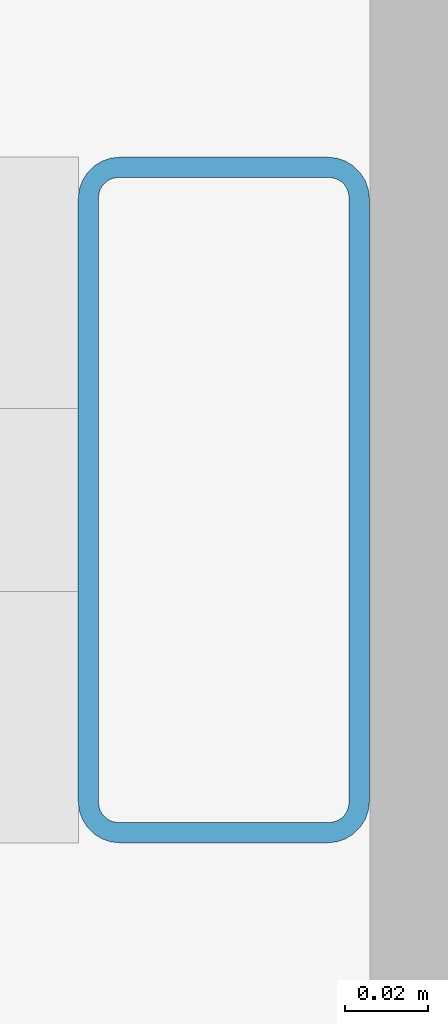
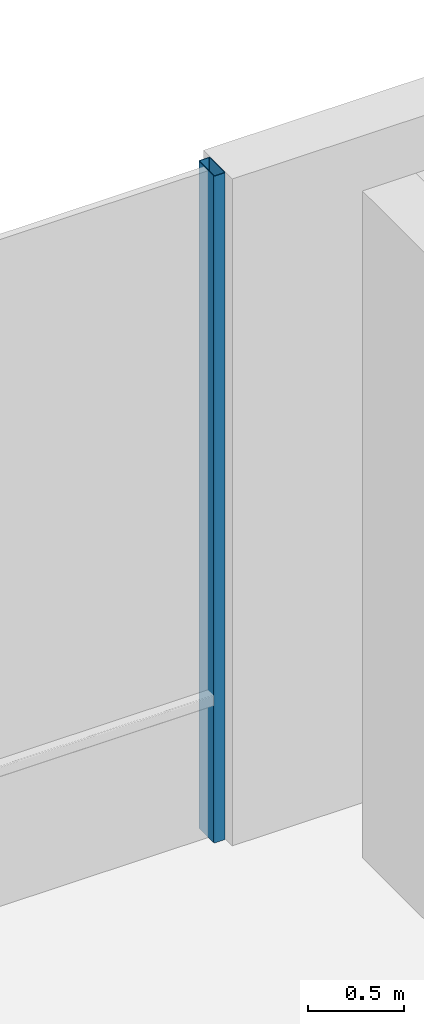
# One storey, part 6 of 26: 1 member, 1 element without a shape of its own.
"""IFC4 building model written with IfcOpenShell, lengths in metres."""

import ifcopenshell
import ifcopenshell.guid

model = None  # the IFC model being written
_history = None  # IfcOwnerHistory: only IFC2X3 demands one
_inside = {}  # id of a spatial element -> (the spatial element, [elements in it])
_under = {}  # id of a project, library or spatial element -> (it, [spatial elements below it])
_declared = {}  # id of a project -> (the project, [libraries it declares])
_typed = {}  # id of a type object -> (the type object, [elements of that type])
_made_of = {}  # id of a material, layer set ... -> (it, [elements and type objects made of it])


def new_model(schema):
    """Start an empty IFC model of exactly this schema.

    Asked for "IFC4X3", IfcOpenShell would pick the latest addendum, in which some entities
    have other attributes; the version numbers below select the first issue.
    IFC2X3 requires an IfcOwnerHistory on every rooted entity: one is made here for all.
    """
    global model, _history
    if schema == "IFC4X3":
        model = ifcopenshell.file(schema_version=(4, 3, 0, 0))
    else:
        model = ifcopenshell.file(schema=schema)
    _inside.clear()
    _under.clear()
    _declared.clear()
    _typed.clear()
    _made_of.clear()
    _history = None
    if model.schema == "IFC2X3":
        org = make("IfcOrganization", Name="unknown")
        user = make(
            "IfcPersonAndOrganization",
            ThePerson=make("IfcPerson", FamilyName="unknown"),
            TheOrganization=org,
        )
        app = make(
            "IfcApplication",
            ApplicationDeveloper=org,
            Version="unknown",
            ApplicationFullName="unknown",
            ApplicationIdentifier="unknown",
        )
        _history = make(
            "IfcOwnerHistory",
            OwningUser=user,
            OwningApplication=app,
            ChangeAction="ADDED",
            CreationDate=0,
        )
    return model


def make(cls, **values):
    """One entity of the class cls with the attributes given. An attribute that is None is left unset."""
    return model.create_entity(
        cls, **{name: value for name, value in values.items() if value is not None}
    )


def rooted(cls, **values):
    """An entity with a GlobalId (a new one), such as an element, a storey or a relation."""
    return make(cls, GlobalId=ifcopenshell.guid.new(), OwnerHistory=_history, **values)


def si_unit(unit_type, name, prefix=None):
    """IfcSIUnit, for example si_unit("LENGTHUNIT", "METRE", prefix="MILLI")."""
    return make("IfcSIUnit", UnitType=unit_type, Prefix=prefix, Name=name)


def assignment(units):
    """IfcUnitAssignment: the units of a project."""
    return None if units is None else make("IfcUnitAssignment", Units=units)


def point(xyz):
    """IfcCartesianPoint."""
    return None if xyz is None else make("IfcCartesianPoint", Coordinates=xyz)


def direction(xyz):
    """IfcDirection."""
    return None if xyz is None else make("IfcDirection", DirectionRatios=xyz)


def frame(location, z_axis=None, x_axis=None):
    """IfcAxis2Placement3D, a coordinate frame: its origin and axes. An axis left out is left unset."""
    return make(
        "IfcAxis2Placement3D",
        Location=point(location),
        Axis=direction(z_axis),
        RefDirection=direction(x_axis),
    )


def frame_2d(location, x_axis=None):
    """IfcAxis2Placement2D, a coordinate frame in the plane: its origin and x axis."""
    return make(
        "IfcAxis2Placement2D", Location=point(location), RefDirection=direction(x_axis)
    )


def origin():
    """The frame at (0, 0, 0) with its axes left unset."""
    return frame((0.0, 0.0, 0.0))


def origin_2d():
    """The frame at (0, 0) in the plane with its x axis left unset."""
    return frame_2d((0.0, 0.0))


def place(relative_to, where):
    """IfcLocalPlacement: puts the frame where relative to a parent placement (None: the world)."""
    return make(
        "IfcLocalPlacement", PlacementRelTo=relative_to, RelativePlacement=where
    )


def context(
    kind, dimensions, precision=None, world=None, true_north=None, identifier=None
):
    """IfcGeometricRepresentationContext, for example the 3D "Model" context."""
    return make(
        "IfcGeometricRepresentationContext",
        ContextIdentifier=identifier,
        ContextType=kind,
        CoordinateSpaceDimension=dimensions,
        Precision=precision,
        WorldCoordinateSystem=world,
        TrueNorth=true_north,
    )


def subcontext(parent, identifier, kind, view, scale=None):
    """IfcGeometricRepresentationSubContext, for example "Body" below "Model"."""
    return make(
        "IfcGeometricRepresentationSubContext",
        ContextIdentifier=identifier,
        ContextType=kind,
        ParentContext=parent,
        TargetScale=scale,
        TargetView=view,
    )


def project(units=None, contexts=None):
    """IfcProject with its units and contexts."""
    return rooted(
        "IfcProject",
        Name="project",
        RepresentationContexts=contexts,
        UnitsInContext=assignment(units),
    )


def spatial(cls, under=None, at=None, **own):
    """A site, building, storey or space (cls), placed at a placement, below another one or the project."""
    s = rooted(cls, ObjectPlacement=at, **own)
    if under is not None:
        _under.setdefault(under.id(), (under, []))[1].append(s)
    return s


def profile(cls, at=None, kind="AREA", **sizes):
    """A parametric profile (cls). Its sizes go by their IFC names, for example OverallWidth=200.0."""
    return make(cls, ProfileType=kind, Position=at, **sizes)


def hollow_rectangle(**sizes):
    """IfcRectangleHollowProfileDef."""
    return profile("IfcRectangleHollowProfileDef", **sizes)


def extrude(swept, where, along, depth):
    """IfcExtrudedAreaSolid: the profile swept, set in the frame where, extruded along a direction by depth."""
    return make(
        "IfcExtrudedAreaSolid",
        SweptArea=swept,
        Position=where,
        ExtrudedDirection=direction(along),
        Depth=depth,
    )


def shape(context_of_items, identifier, shape_type, items):
    """IfcShapeRepresentation: the items that make up one representation, for example the "Body"."""
    return make(
        "IfcShapeRepresentation",
        ContextOfItems=context_of_items,
        RepresentationIdentifier=identifier,
        RepresentationType=shape_type,
        Items=items,
    )


def material(Name=None, Category=None):
    """IfcMaterial."""
    return make("IfcMaterial", Name=Name, Category=Category)


def layer(
    of_material, thickness, ventilated=None, Name=None, Category=None, Priority=None
):
    """IfcMaterialLayer: one layer of a wall or slab, of a material (None: an air gap)."""
    return make(
        "IfcMaterialLayer",
        Material=of_material,
        LayerThickness=thickness,
        IsVentilated=ventilated,
        Name=Name,
        Category=Category,
        Priority=Priority,
    )


def layer_set(layers, Name=None):
    """IfcMaterialLayerSet."""
    return make("IfcMaterialLayerSet", MaterialLayers=layers, LayerSetName=Name)


def material_profile(
    of_material, cross_section, Name=None, Category=None, Priority=None
):
    """IfcMaterialProfile: a cross section and its material."""
    return make(
        "IfcMaterialProfile",
        Name=Name,
        Material=of_material,
        Profile=cross_section,
        Priority=Priority,
        Category=Category,
    )


def profile_set(profiles, Name=None, composite=None):
    """IfcMaterialProfileSet."""
    return make(
        "IfcMaterialProfileSet",
        Name=Name,
        MaterialProfiles=profiles,
        CompositeProfile=composite,
    )


def made_of(thing, what):
    """Note that an element or type object is made of a material, layer set ...; save() writes the relation."""
    if what is not None:
        _made_of.setdefault(what.id(), (what, []))[1].append(thing)
    return thing


def type_object(cls, material=None, **own):
    """A type object (cls), such as IfcWallType, which elements share."""
    return made_of(rooted(cls, **own), material)


def element(
    cls,
    number,
    at=None,
    inside=None,
    cuts=None,
    type_object=None,
    material=None,
    context=None,
    identifier="Body",
    shape_type=None,
    held_by="IfcProductDefinitionShape",
    body=None,
    shapes=None,
    **own,
):
    """One element of the class cls, such as IfcWall. Its Tag is "e" and its number.

    at: its placement. inside: the storey or other place that contains it. cuts: it is an
    opening in that element (IfcRelVoidsElement). A single representation is given by context,
    identifier, shape_type and body (its items); several are given by shapes. held_by: the class
    of the entity that holds the representations. save() writes the other relations.
    """
    e = rooted(cls, Tag="e%d" % number, ObjectPlacement=at, **own)
    if body is not None:
        shapes = [shape(context, identifier, shape_type, body)]
    if shapes is not None:
        e.Representation = make(held_by, Representations=shapes)
    if inside is not None:
        _inside.setdefault(inside.id(), (inside, []))[1].append(e)
    if cuts is not None:
        rooted(
            "IfcRelVoidsElement", RelatingBuildingElement=cuts, RelatedOpeningElement=e
        )
    if type_object is not None:
        _typed.setdefault(type_object.id(), (type_object, []))[1].append(e)
    return made_of(e, material)


def aggregate(whole, parts):
    """IfcRelAggregates: a whole, such as a stair, and the parts it consists of."""
    return rooted("IfcRelAggregates", RelatingObject=whole, RelatedObjects=parts)


def save(model, path):
    """Write the relations noted so far, then the file.

    IfcRelAggregates (storeys below a building ...), IfcRelContainedInSpatialStructure (elements
    in a storey), IfcRelDefinesByType, IfcRelAssociatesMaterial and IfcRelDeclares: one each for
    every whole, place, type object, material and project.
    """
    for whole, parts in _under.values():
        aggregate(whole, parts)
    for where, things in _inside.values():
        rooted(
            "IfcRelContainedInSpatialStructure",
            RelatedElements=things,
            RelatingStructure=where,
        )
    for kind, things in _typed.values():
        rooted("IfcRelDefinesByType", RelatedObjects=things, RelatingType=kind)
    for what, things in _made_of.values():
        rooted("IfcRelAssociatesMaterial", RelatedObjects=things, RelatingMaterial=what)
    for by, libraries in _declared.values():
        rooted("IfcRelDeclares", RelatingContext=by, RelatedDefinitions=libraries)
    model.write(path)


model = new_model("IFC4")

# Units and contexts
model_context = context("Model", 3, precision=1e-05, world=origin(), true_north=direction((0.0, 1.0)))
body_context = subcontext(model_context, "Body", "Model", "MODEL_VIEW")
ifc_project = project(units=[si_unit("LENGTHUNIT", "METRE"), si_unit("AREAUNIT", "SQUARE_METRE"), si_unit("VOLUMEUNIT", "CUBIC_METRE"), si_unit("PLANEANGLEUNIT", "RADIAN"), si_unit("MASSUNIT", "GRAM", prefix="KILO")], contexts=[model_context])

# Site, building, storey
site_placement = place(None, origin())
site = spatial("IfcSite", under=ifc_project, at=site_placement, CompositionType="ELEMENT")
building_placement = place(site_placement, origin())
building = spatial("IfcBuilding", under=site, at=building_placement, Name="Brevholm Reach", CompositionType="ELEMENT")
storey_placement = place(building_placement, frame((0.0, 0.0, 18.0)))
storey = spatial("IfcBuildingStorey", under=building, at=storey_placement, Name="L04", CompositionType="ELEMENT", Elevation=18.0)

# Curtain wall, member
ifc_material_1 = material(Name="Dark Anodised Aluminium 6063-T6 and Solar-Control Glass", Category="aluminium")
ifc_layer = layer(ifc_material_1, 0.1650390625)
ifc_layer_set = layer_set([ifc_layer], Name="Dark Anodised Aluminium 6063-T6 and Solar-Control Glass")
curtain_wall_type = type_object("IfcCurtainWallType", Name="CW-03", PredefinedType="NOTDEFINED", material=ifc_layer_set)
curtain_wall_placement = place(storey_placement, origin())
curtain_wall = element("IfcCurtainWall", 1, at=curtain_wall_placement, inside=storey, type_object=curtain_wall_type, Name="L04 Curtain Wall CW-03", PredefinedType="NOTDEFINED")
ifc_material_2 = material(Name="Dark Anodised Aluminium 6063-T6", Category="aluminium")
ifc_material_profile = material_profile(ifc_material_2, hollow_rectangle(XDim=0.070068359375, YDim=0.1650390625, WallThickness=0.0048828125, InnerFilletRadius=0.0048828125, OuterFilletRadius=0.010009765625, at=origin_2d()), Name="RHS 165x70x5")
ifc_profile_set = profile_set([ifc_material_profile], Name="Dark Anodised Aluminium 6063-T6")
member_type = type_object("IfcMemberType", Name="CWM-165", PredefinedType="MULLION", material=ifc_profile_set)
member_placement = place(storey_placement, frame((7.06494140625, 39.830078125, 0.0), z_axis=(0.0, 0.0, 1.0), x_axis=(1.0, 0.0, 0.0)))
member = element("IfcMember", 2, at=member_placement, type_object=member_type, Name="CM-165 Mullion 2", PredefinedType="MULLION", context=body_context, shape_type="SweptSolid", body=[
    extrude(hollow_rectangle(XDim=0.070068359375, YDim=0.1650390625, WallThickness=0.0048828125, InnerFilletRadius=0.0048828125, OuterFilletRadius=0.010009765625, at=origin_2d()), origin(), (0.0, 0.0, 1.0), 4.219970703125),
])
aggregate(curtain_wall, [member])

save(model, "model.ifc")
